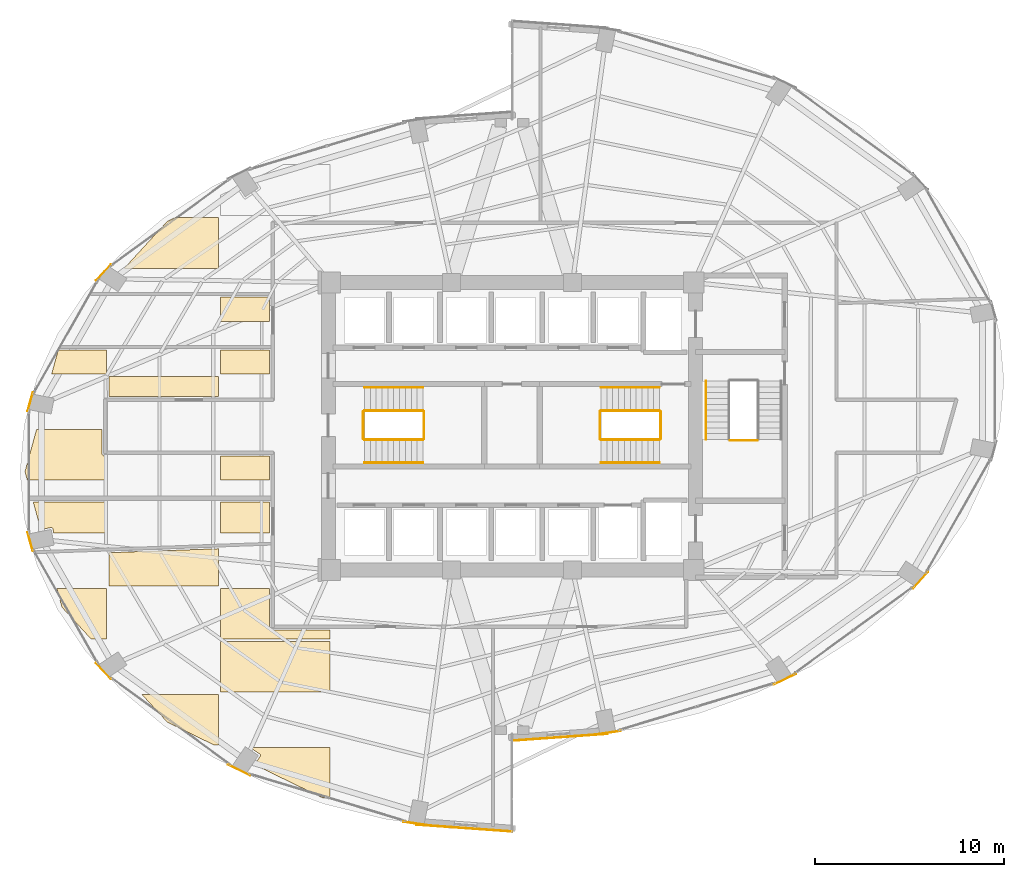
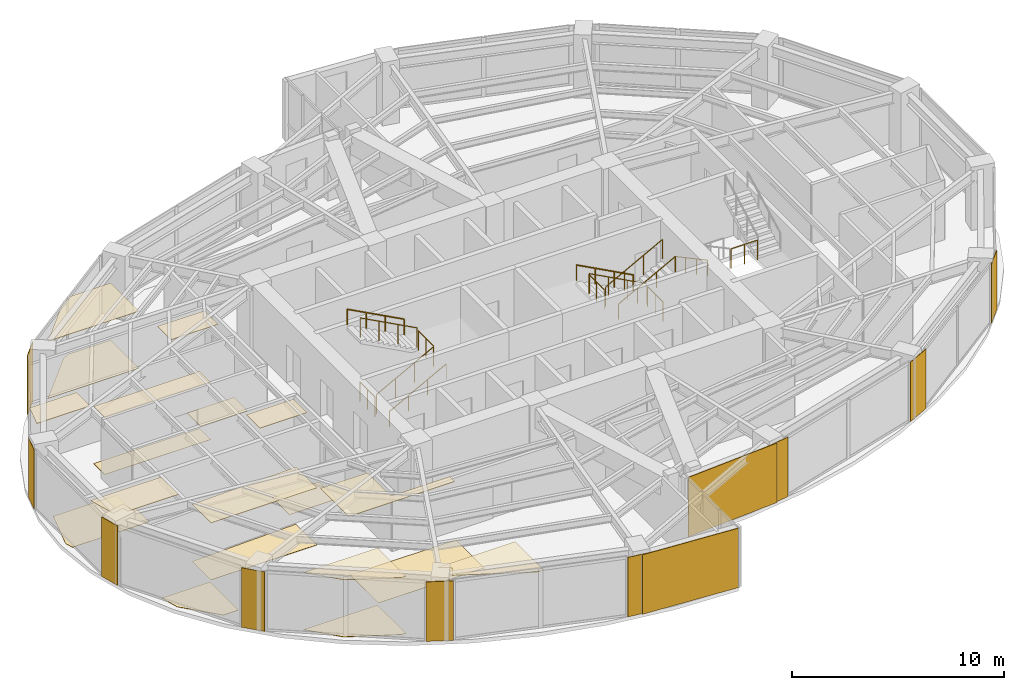
# One storey, part 23 of 24: 30 coverings, 14 railings.
"""IFC4 building model written with IfcOpenShell, lengths in metres."""

from ifc_helpers import new_model, si_unit, direction, frame, origin, origin_2d, place, context, subcontext, project, spatial, polyline, rectangle, circle, outline, extrude, material, layer, layer_set, type_object, element, save


model = new_model("IFC4")

# Units and contexts
model_context = context("Model", 3, precision=1e-05, world=origin(), true_north=direction((0.0, 1.0)))
body_context = subcontext(model_context, "Body", "Model", "MODEL_VIEW")
ifc_project = project(units=[si_unit("LENGTHUNIT", "METRE"), si_unit("AREAUNIT", "SQUARE_METRE"), si_unit("VOLUMEUNIT", "CUBIC_METRE"), si_unit("PLANEANGLEUNIT", "RADIAN"), si_unit("MASSUNIT", "GRAM", prefix="KILO")], contexts=[model_context])

# Site, building, storey
site_placement = place(None, origin())
site = spatial("IfcSite", under=ifc_project, at=site_placement, CompositionType="ELEMENT")
building_placement = place(site_placement, origin())
building = spatial("IfcBuilding", under=site, at=building_placement, Name="Lazwardi Medical Tower", CompositionType="ELEMENT")
storey_placement = place(building_placement, frame((0.0, 0.0, 96.3359375)))
storey = spatial("IfcBuildingStorey", under=building, at=storey_placement, Name="L24", CompositionType="ELEMENT", Elevation=96.3359375)

# Coverings
ifc_material_1 = material(Name="Anodised bronze aluminium cassette cladding", Category="aluminium")
ifc_layer_1 = layer(ifc_material_1, 0.030029296875)
ifc_layer_set_1 = layer_set([ifc_layer_1], Name="Anodised bronze aluminium cassette cladding")
covering_type_1 = type_object("IfcCoveringType", Name="COV-CLD-BRZ", PredefinedType="CLADDING", material=ifc_layer_set_1)
covering_1_placement = place(storey_placement, frame((41.064208984375, 11.80322265625, 0.0), z_axis=(0.0, 0.0, 1.0), x_axis=(0.989609019093, 0.143784523955, 0.0)))
element("IfcCovering", 1, at=covering_1_placement, inside=storey, type_object=covering_type_1, Name="L24 Mega-column bronze cassette cover M01", PredefinedType="CLADDING", context=body_context, shape_type="SweptSolid", body=[
    extrude(rectangle(XDim=1.392333984375, YDim=0.030029296875, at=origin_2d()), origin(), (0.0, 0.0, 1.0), 3.427978515625),
])
covering_2_placement = place(storey_placement, frame((50.421875, 14.634521484375, 0.0), z_axis=(0.0, 0.0, 1.0), x_axis=(0.898679250201, 0.438606435495, 0.0)))
element("IfcCovering", 2, at=covering_2_placement, inside=storey, type_object=covering_type_1, Name="L24 Mega-column bronze cassette cover M02", PredefinedType="CLADDING", context=body_context, shape_type="SweptSolid", body=[
    extrude(rectangle(XDim=1.2998046875, YDim=0.030029296875, at=origin_2d()), origin(), (0.0, 0.0, 1.0), 3.427978515625),
])
for number, where, z_axis, x_axis, name in (
    (3, (57.583740234375, 19.86572265625, 0.0), (0.0, 0.0, 1.0), (0.674925949214, 0.737885467453, 0.0), "L24 Mega-column bronze cassette cover M03"),
    (4, (14.416259765625, 36.13427734375, 0.0), (0.0, 0.0, 1.0), (-0.674925949214, -0.737885467453, 0.0), "L24 Mega-column bronze cassette cover M11"),
):
    element("IfcCovering", number, at=place(storey_placement, frame(where, z_axis=z_axis, x_axis=x_axis)), inside=storey, type_object=covering_type_1, Name=name, PredefinedType="CLADDING", context=body_context, shape_type="SweptSolid", body=[
        extrude(rectangle(XDim=1.15625, YDim=0.030029296875, at=origin_2d()), origin(), (0.0, 0.0, 1.0), 3.427978515625),
    ])
for number, where, z_axis, x_axis, name in (
    (5, (10.540283203125, 29.299072265625, 0.0), (0.0, 0.0, 1.0), (-0.262696108164, -0.964878621774, 0.0), "L24 Mega-column bronze cassette cover M12"),
    (6, (10.540283203125, 21.90087890625, 0.0), (0.0, 0.0, 1.0), (0.262696108164, -0.964878621774, 0.0), "L24 Mega-column bronze cassette cover M13"),
):
    element("IfcCovering", number, at=place(storey_placement, frame(where, z_axis=z_axis, x_axis=x_axis)), inside=storey, type_object=covering_type_1, Name=name, PredefinedType="CLADDING", context=body_context, shape_type="SweptSolid", body=[
        extrude(rectangle(XDim=1.04296875, YDim=0.030029296875, at=origin_2d()), origin(), (0.0, 0.0, 1.0), 3.427978515625),
    ])
covering_3_placement = place(storey_placement, frame((14.416259765625, 15.06591796875, 0.0), z_axis=(0.0, 0.0, 1.0), x_axis=(0.674925949214, -0.737885467453, 0.0)))
element("IfcCovering", 7, at=covering_3_placement, inside=storey, type_object=covering_type_1, Name="L24 Mega-column bronze cassette cover M14", PredefinedType="CLADDING", context=body_context, shape_type="SweptSolid", body=[
    extrude(rectangle(XDim=1.15625, YDim=0.030029296875, at=origin_2d()), origin(), (0.0, 0.0, 1.0), 3.427978515625),
])
covering_4_placement = place(storey_placement, frame((21.578125, 9.83447265625, 0.0), z_axis=(0.0, 0.0, 1.0), x_axis=(0.898679250201, -0.438606435495, 0.0)))
element("IfcCovering", 8, at=covering_4_placement, inside=storey, type_object=covering_type_1, Name="L24 Mega-column bronze cassette cover M15", PredefinedType="CLADDING", context=body_context, shape_type="SweptSolid", body=[
    extrude(rectangle(XDim=1.2998046875, YDim=0.030029296875, at=origin_2d()), origin(), (0.0, 0.0, 1.0), 3.427978515625),
])
covering_5_placement = place(storey_placement, frame((30.935791015625, 7.00341796875, 0.0), z_axis=(0.0, 0.0, 1.0), x_axis=(0.989609019093, -0.143784523955, 0.0)))
element("IfcCovering", 9, at=covering_5_placement, inside=storey, type_object=covering_type_1, Name="L24 Mega-column bronze cassette cover M16", PredefinedType="CLADDING", context=body_context, shape_type="SweptSolid", body=[
    extrude(rectangle(XDim=1.392333984375, YDim=0.030029296875, at=origin_2d()), origin(), (0.0, 0.0, 1.0), 3.427978515625),
])
ifc_material_2 = material(Name="Turquoise glazed ceramic tilework cladding", Category="masonry")
ifc_layer_2 = layer(ifc_material_2, 0.034912109375)
ifc_layer_set_2 = layer_set([ifc_layer_2], Name="Turquoise glazed ceramic tilework cladding")
covering_type_2 = type_object("IfcCoveringType", Name="COV-CLD-TRQ", PredefinedType="CLADDING", material=ifc_layer_set_2)
covering_6_placement = place(storey_placement, frame((38.533203125, 11.56591796875, 0.0), z_axis=(0.0, 0.0, 1.0), x_axis=(0.997431665415, 0.07162452672, 0.0)))
element("IfcCovering", 10, at=covering_6_placement, inside=storey, type_object=covering_type_2, Name="L24 Turquoise glazed ceramic tilework cladding", PredefinedType="CLADDING", context=body_context, shape_type="SweptSolid", body=[
    extrude(rectangle(XDim=5.05419921875, YDim=0.034912109375, at=origin_2d()), origin(), (0.0, 0.0, 1.0), 3.427978515625),
])
covering_7_placement = place(storey_placement, frame((33.466552734375, 6.76611328125, 0.0), z_axis=(0.0, 0.0, 1.0), x_axis=(0.997431165357, -0.071631490105, 0.0)))
element("IfcCovering", 11, at=covering_7_placement, inside=storey, type_object=covering_type_2, Name="L24 Turquoise glazed ceramic tilework cladding", PredefinedType="CLADDING", context=body_context, shape_type="SweptSolid", body=[
    extrude(rectangle(XDim=5.0537109375, YDim=0.034912109375, at=origin_2d()), origin(), (0.0, 0.0, 1.0), 3.427978515625),
])
ifc_material_3 = material(Name="Acoustic mineral fibre tile")
ifc_layer_3 = layer(ifc_material_3, 0.02490234375)
ifc_layer_set_3 = layer_set([ifc_layer_3], Name="Acoustic mineral fibre tile")
covering_type_3 = type_object("IfcCoveringType", Name="COV-CLG-01", PredefinedType="CEILING", material=ifc_layer_set_3)
covering_8_placement = place(storey_placement, frame((0.0, 0.0, 3.282958984375)))
element("IfcCovering", 12, at=covering_8_placement, inside=storey, type_object=covering_type_3, Name="L24 Clinical Acoustic Ceiling 1", PredefinedType="CEILING", context=body_context, shape_type="SweptSolid", body=[
    extrude(outline(polyline([(14.5830078125, 24.0), (10.69970703125, 24.0), (11.097412109375, 22.54248046875), (11.643798828125, 22.651123046875), (11.651611328125, 22.652099609375), (11.6591796875, 22.652587890625), (11.6669921875, 22.652099609375), (11.6748046875, 22.651123046875), (11.6826171875, 22.649169921875), (11.68994140625, 22.646484375), (11.697021484375, 22.643310546875), (11.70361328125, 22.63916015625), (11.710205078125, 22.634521484375), (11.7158203125, 22.629150390625), (11.72119140625, 22.623291015625), (11.725830078125, 22.616943359375), (11.72998046875, 22.6103515625), (11.733154296875, 22.603271484375), (11.73583984375, 22.595703125), (11.73779296875, 22.588134765625), (11.78466796875, 22.352294921875), (14.5830078125, 22.352294921875), (14.5830078125, 24.0)])), origin(), (0.0, 0.0, 1.0), 0.025146484375),
])
covering_9_placement = place(storey_placement, frame((0.0, 0.0, 3.282958984375)))
element("IfcCovering", 13, at=covering_9_placement, inside=storey, type_object=covering_type_3, Name="L24 Clinical Acoustic Ceiling 2", PredefinedType="CEILING", context=body_context, shape_type="SweptSolid", body=[
    extrude(outline(polyline([(14.5830078125, 32.034912109375), (12.01904296875, 32.034912109375), (11.6689453125, 30.75244140625), (14.5830078125, 30.75244140625), (14.5830078125, 32.034912109375)])), origin(), (0.0, 0.0, 1.0), 0.025146484375),
])
covering_10_placement = place(storey_placement, frame((0.0, 0.0, 3.282958984375)))
element("IfcCovering", 14, at=covering_10_placement, inside=storey, type_object=covering_type_3, Name="L24 Clinical Acoustic Ceiling 3", PredefinedType="CEILING", context=body_context, shape_type="SweptSolid", body=[
    extrude(outline(polyline([(16.439208984375, 13.83251953125), (17.791259765625, 12.357666015625), (20.265625, 11.15234375), (20.48291015625, 11.15234375), (20.48291015625, 13.83251953125), (16.439208984375, 13.83251953125)])), origin(), (0.0, 0.0, 1.0), 0.025146484375),
])
covering_11_placement = place(storey_placement, frame((0.0, 0.0, 3.282958984375)))
element("IfcCovering", 15, at=covering_11_placement, inside=storey, type_object=covering_type_3, Name="L24 Clinical Acoustic Ceiling 4", PredefinedType="CEILING", context=body_context, shape_type="SweptSolid", body=[
    extrude(outline(polyline([(20.48291015625, 21.531982421875), (14.702880859375, 21.322998046875), (14.702880859375, 19.552490234375), (20.48291015625, 19.552490234375), (20.48291015625, 21.531982421875)])), origin(), (0.0, 0.0, 1.0), 0.025146484375),
])
covering_12_placement = place(storey_placement, frame((0.0, 0.0, 3.282958984375)))
element("IfcCovering", 16, at=covering_12_placement, inside=storey, type_object=covering_type_3, Name="L24 Clinical Acoustic Ceiling 5", PredefinedType="CEILING", context=body_context, shape_type="SweptSolid", body=[
    extrude(outline(polyline([(14.702880859375, 29.574951171875), (20.48291015625, 29.574951171875), (20.48291015625, 30.63232421875), (14.702880859375, 30.63232421875), (14.702880859375, 29.574951171875)])), origin(), (0.0, 0.0, 1.0), 0.025146484375),
])
covering_13_placement = place(storey_placement, frame((0.0, 0.0, 3.282958984375)))
element("IfcCovering", 17, at=covering_13_placement, inside=storey, type_object=covering_type_3, Name="L24 Clinical Acoustic Ceiling 6", PredefinedType="CEILING", context=body_context, shape_type="SweptSolid", body=[
    extrude(outline(polyline([(18.181396484375, 39.032470703125), (17.791259765625, 38.84228515625), (15.508544921875, 36.352294921875), (20.48291015625, 36.352294921875), (20.48291015625, 39.032470703125), (18.181396484375, 39.032470703125)])), origin(), (0.0, 0.0, 1.0), 0.025146484375),
])
covering_14_placement = place(storey_placement, frame((0.0, 0.0, 3.282958984375)))
element("IfcCovering", 18, at=covering_14_placement, inside=storey, type_object=covering_type_3, Name="L24 Clinical Acoustic Ceiling 7", PredefinedType="CEILING", context=body_context, shape_type="SweptSolid", body=[
    extrude(outline(polyline([(22.143798828125, 11.032470703125), (22.6708984375, 10.68017578125), (22.677490234375, 10.67529296875), (22.68310546875, 10.670166015625), (22.6884765625, 10.664306640625), (22.693115234375, 10.657958984375), (22.697265625, 10.6513671875), (22.700439453125, 10.644287109375), (22.703125, 10.63671875), (22.705078125, 10.629150390625), (22.706298828125, 10.621337890625), (22.70654296875, 10.613525390625), (22.706298828125, 10.605712890625), (22.705078125, 10.597900390625), (22.703125, 10.59033203125), (22.700439453125, 10.5830078125), (22.697265625, 10.575927734375), (22.693115234375, 10.569091796875), (22.39111328125, 10.1171875), (26.0146484375, 8.352294921875), (26.3828125, 8.352294921875), (26.3828125, 11.032470703125), (22.143798828125, 11.032470703125)])), origin(), (0.0, 0.0, 1.0), 0.025146484375),
])
covering_15_placement = place(storey_placement, frame((0.0, 0.0, 3.282958984375)))
element("IfcCovering", 19, at=covering_15_placement, inside=storey, type_object=covering_type_3, Name="L24 Clinical Acoustic Ceiling 8", PredefinedType="CEILING", context=body_context, shape_type="SweptSolid", body=[
    extrude(outline(polyline([(26.3828125, 17.22509765625), (23.35009765625, 17.22509765625), (23.345703125, 17.22509765625), (23.33642578125, 17.2255859375), (23.32958984375, 17.226318359375), (23.3203125, 17.2275390625), (23.31201171875, 17.229248046875), (23.302734375, 17.2314453125), (23.2958984375, 17.233642578125), (23.287109375, 17.23681640625), (23.279296875, 17.239990234375), (23.270751953125, 17.243896484375), (23.263916015625, 17.24755859375), (23.256103515625, 17.25244140625), (23.249267578125, 17.2568359375), (23.24169921875, 17.262451171875), (23.236083984375, 17.26708984375), (23.229248046875, 17.273193359375), (23.223388671875, 17.279296875), (23.217041015625, 17.2861328125), (23.21240234375, 17.291748046875), (23.206787109375, 17.29931640625), (23.202392578125, 17.305908203125), (23.197509765625, 17.31396484375), (23.194091796875, 17.32080078125), (23.18994140625, 17.3291015625), (23.186767578125, 17.3369140625), (23.18359375, 17.345703125), (23.181396484375, 17.352783203125), (23.17919921875, 17.36181640625), (23.177490234375, 17.370361328125), (23.17626953125, 17.37939453125), (23.175537109375, 17.386474609375), (23.175048828125, 17.395751953125), (23.175048828125, 17.39990234375), (23.175048828125, 19.432373046875), (20.602783203125, 19.432373046875), (20.602783203125, 16.75244140625), (26.3828125, 16.75244140625), (26.3828125, 17.22509765625)])), origin(), (0.0, 0.0, 1.0), 0.025146484375),
])
covering_16_placement = place(storey_placement, frame((0.0, 0.0, 3.282958984375)))
element("IfcCovering", 20, at=covering_16_placement, inside=storey, type_object=covering_type_3, Name="L24 Clinical Acoustic Ceiling 9", PredefinedType="CEILING", context=body_context, shape_type="SweptSolid", body=[
    extrude(outline(polyline([(23.175048828125, 25.15234375), (23.175048828125, 26.425048828125), (20.602783203125, 26.425048828125), (20.602783203125, 25.15234375), (23.175048828125, 25.15234375)])), origin(), (0.0, 0.0, 1.0), 0.025146484375),
])
covering_17_placement = place(storey_placement, frame((0.0, 0.0, 3.282958984375)))
element("IfcCovering", 21, at=covering_17_placement, inside=storey, type_object=covering_type_3, Name="L24 Clinical Acoustic Ceiling 10", PredefinedType="CEILING", context=body_context, shape_type="SweptSolid", body=[
    extrude(outline(polyline([(23.175048828125, 33.552490234375), (23.175048828125, 34.8349609375), (20.602783203125, 34.8349609375), (20.602783203125, 33.552490234375), (23.175048828125, 33.552490234375)])), origin(), (0.0, 0.0, 1.0), 0.025146484375),
])
ifc_material_4 = material(Name="Anti-static hospital vinyl sheet flooring")
ifc_layer_4 = layer(ifc_material_4, 0.014892578125)
ifc_layer_set_4 = layer_set([ifc_layer_4], Name="Anti-static hospital vinyl sheet flooring")
covering_type_4 = type_object("IfcCoveringType", Name="COV-FLR-01", PredefinedType="FLOORING", material=ifc_layer_set_4)
covering_18_placement = place(storey_placement, origin())
element("IfcCovering", 22, at=covering_18_placement, inside=storey, type_object=covering_type_4, Name="L24 Clinical Vinyl Flooring 1", PredefinedType="FLOORING", context=body_context, shape_type="SweptSolid", body=[
    extrude(outline(polyline([(11.946044921875, 19.432373046875), (12.217529296875, 18.437744140625), (13.76220703125, 16.75244140625), (14.5830078125, 16.75244140625), (14.5830078125, 19.432373046875), (11.946044921875, 19.432373046875)])), origin(), (0.0, 0.0, 1.0), 0.01513671875),
])
covering_19_placement = place(storey_placement, origin())
element("IfcCovering", 23, at=covering_19_placement, inside=storey, type_object=covering_type_4, Name="L24 Clinical Vinyl Flooring 2", PredefinedType="FLOORING", context=body_context, shape_type="SweptSolid", body=[
    extrude(outline(polyline([(14.5830078125, 26.425048828125), (14.5, 26.425048828125), (14.49560546875, 26.425048828125), (14.486328125, 26.425537109375), (14.4794921875, 26.42626953125), (14.47021484375, 26.427490234375), (14.4619140625, 26.42919921875), (14.452880859375, 26.431396484375), (14.44580078125, 26.43359375), (14.43701171875, 26.436767578125), (14.42919921875, 26.43994140625), (14.4208984375, 26.444091796875), (14.4140625, 26.447509765625), (14.406005859375, 26.452392578125), (14.3994140625, 26.456787109375), (14.391845703125, 26.46240234375), (14.38623046875, 26.467041015625), (14.37939453125, 26.473388671875), (14.373291015625, 26.479248046875), (14.3671875, 26.486083984375), (14.362548828125, 26.49169921875), (14.35693359375, 26.499267578125), (14.352294921875, 26.506103515625), (14.34765625, 26.513916015625), (14.343994140625, 26.520751953125), (14.340087890625, 26.529296875), (14.336669921875, 26.537109375), (14.33349609375, 26.5458984375), (14.33154296875, 26.552734375), (14.3291015625, 26.56201171875), (14.32763671875, 26.5703125), (14.326416015625, 26.57958984375), (14.32568359375, 26.58642578125), (14.3251953125, 26.595703125), (14.324951171875, 26.60009765625), (14.324951171875, 27.83251953125), (10.872314453125, 27.83251953125), (10.262939453125, 25.60009765625), (10.385009765625, 25.15234375), (14.5830078125, 25.15234375), (14.5830078125, 26.425048828125)])), origin(), (0.0, 0.0, 1.0), 0.01513671875),
])
covering_20_placement = place(storey_placement, origin())
element("IfcCovering", 24, at=covering_20_placement, inside=storey, type_object=covering_type_4, Name="L24 Clinical Vinyl Flooring 3", PredefinedType="FLOORING", context=body_context, shape_type="SweptSolid", body=[
    extrude(outline(polyline([(16.439208984375, 13.83251953125), (17.791259765625, 12.357666015625), (20.265625, 11.15234375), (20.48291015625, 11.15234375), (20.48291015625, 13.83251953125), (16.439208984375, 13.83251953125)])), origin(), (0.0, 0.0, 1.0), 0.01513671875),
])
covering_21_placement = place(storey_placement, origin())
element("IfcCovering", 25, at=covering_21_placement, inside=storey, type_object=covering_type_4, Name="L24 Clinical Vinyl Flooring 4", PredefinedType="FLOORING", context=body_context, shape_type="SweptSolid", body=[
    extrude(outline(polyline([(20.48291015625, 21.531982421875), (14.702880859375, 21.322998046875), (14.702880859375, 19.552490234375), (20.48291015625, 19.552490234375), (20.48291015625, 21.531982421875)])), origin(), (0.0, 0.0, 1.0), 0.01513671875),
])
covering_22_placement = place(storey_placement, origin())
element("IfcCovering", 26, at=covering_22_placement, inside=storey, type_object=covering_type_4, Name="L24 Clinical Vinyl Flooring 5", PredefinedType="FLOORING", context=body_context, shape_type="SweptSolid", body=[
    extrude(outline(polyline([(14.702880859375, 29.574951171875), (20.48291015625, 29.574951171875), (20.48291015625, 30.63232421875), (14.702880859375, 30.63232421875), (14.702880859375, 29.574951171875)])), origin(), (0.0, 0.0, 1.0), 0.01513671875),
])
covering_23_placement = place(storey_placement, origin())
element("IfcCovering", 27, at=covering_23_placement, inside=storey, type_object=covering_type_4, Name="L24 Clinical Vinyl Flooring 6", PredefinedType="FLOORING", context=body_context, shape_type="SweptSolid", body=[
    extrude(outline(polyline([(18.181396484375, 39.032470703125), (17.791259765625, 38.84228515625), (15.508544921875, 36.352294921875), (20.48291015625, 36.352294921875), (20.48291015625, 39.032470703125), (18.181396484375, 39.032470703125)])), origin(), (0.0, 0.0, 1.0), 0.01513671875),
])
covering_24_placement = place(storey_placement, origin())
element("IfcCovering", 28, at=covering_24_placement, inside=storey, type_object=covering_type_4, Name="L24 Clinical Vinyl Flooring 7", PredefinedType="FLOORING", context=body_context, shape_type="SweptSolid", body=[
    extrude(outline(polyline([(26.3828125, 13.952392578125), (26.3828125, 16.63232421875), (20.602783203125, 16.63232421875), (20.602783203125, 13.952392578125), (26.3828125, 13.952392578125)])), origin(), (0.0, 0.0, 1.0), 0.01513671875),
])
covering_25_placement = place(storey_placement, origin())
element("IfcCovering", 29, at=covering_25_placement, inside=storey, type_object=covering_type_4, Name="L24 Clinical Vinyl Flooring 8", PredefinedType="FLOORING", context=body_context, shape_type="SweptSolid", body=[
    extrude(outline(polyline([(23.175048828125, 22.352294921875), (23.175048828125, 24.0), (20.602783203125, 24.0), (20.602783203125, 22.352294921875), (23.175048828125, 22.352294921875)])), origin(), (0.0, 0.0, 1.0), 0.01513671875),
])
covering_26_placement = place(storey_placement, origin())
element("IfcCovering", 30, at=covering_26_placement, inside=storey, type_object=covering_type_4, Name="L24 Clinical Vinyl Flooring 9", PredefinedType="FLOORING", context=body_context, shape_type="SweptSolid", body=[
    extrude(outline(polyline([(23.175048828125, 30.75244140625), (23.175048828125, 32.034912109375), (20.602783203125, 32.034912109375), (20.602783203125, 30.75244140625), (23.175048828125, 30.75244140625)])), origin(), (0.0, 0.0, 1.0), 0.01513671875),
])

# Railings
ifc_material_5 = material(Name="Stainless steel Grade 316", Category="steel")
railing_type_1 = type_object("IfcRailingType", Name="RLG-GRD-1150", PredefinedType="GUARDRAIL", material=ifc_material_5)
railing_1_placement = place(storey_placement, frame((28.199951171875, 27.2900390625, 0.165771484375)))
element("IfcRailing", 31, at=railing_1_placement, inside=storey, type_object=railing_type_1, Name="L24 ST1 stair guard 1", PredefinedType="GUARDRAIL", context=body_context, shape_type="SweptSolid", body=[
    extrude(circle(Radius=0.02392578125, at=origin_2d()), frame((0.0, 0.0, 1.1259765625), z_axis=(0.881783298633, 0.0, 0.471654761719), x_axis=(0.0, 1.0, 0.0)), (0.0, 0.0, 1.0), 3.515625),
    extrude(circle(Radius=0.02099609375, at=origin_2d()), origin(), (0.0, 0.0, 1.0), 1.099853515625),
    extrude(circle(Radius=0.02099609375, at=origin_2d()), frame((1.033447265625, 0.0, 0.552734375)), (0.0, 0.0, 1.0), 1.099853515625),
    extrude(circle(Radius=0.02099609375, at=origin_2d()), frame((2.066650390625, 0.0, 1.10546875)), (0.0, 0.0, 1.0), 1.099853515625),
    extrude(circle(Radius=0.02099609375, at=origin_2d()), frame((3.10009765625, 0.0, 1.658203125)), (0.0, 0.0, 1.0), 1.099853515625),
])
railing_2_placement = place(storey_placement, frame((31.35009765625, 27.340087890625, 1.823974609375)))
element("IfcRailing", 32, at=railing_2_placement, inside=storey, type_object=railing_type_1, Name="L24 ST1 stair guard 2", PredefinedType="GUARDRAIL", context=body_context, shape_type="SweptSolid", body=[
    extrude(circle(Radius=0.02392578125, at=origin_2d()), frame((0.0, 0.0, 1.1259765625), z_axis=(0.0, 1.0, 0.0), x_axis=(-1.0, 0.0, 0.0)), (0.0, 0.0, 1.0), 1.43994140625),
    extrude(circle(Radius=0.02099609375, at=origin_2d()), origin(), (0.0, 0.0, 1.0), 1.099853515625),
    extrude(circle(Radius=0.02099609375, at=origin_2d()), frame((0.0, 0.719970703125, 0.0)), (0.0, 0.0, 1.0), 1.099853515625),
    extrude(circle(Radius=0.02099609375, at=origin_2d()), frame((0.0, 1.43994140625, 0.0)), (0.0, 0.0, 1.0), 1.099853515625),
])
railing_3_placement = place(storey_placement, frame((31.300048828125, 28.830078125, 1.989990234375)))
element("IfcRailing", 33, at=railing_3_placement, inside=storey, type_object=railing_type_1, Name="L24 ST1 stair guard 3", PredefinedType="GUARDRAIL", context=body_context, shape_type="SweptSolid", body=[
    extrude(circle(Radius=0.02392578125, at=origin_2d()), frame((0.0, 0.0, 1.1259765625), z_axis=(-0.881812178953, 0.0, 0.471600764472), x_axis=(0.0, -1.0, 0.0)), (0.0, 0.0, 1.0), 3.515625),
    extrude(circle(Radius=0.02099609375, at=origin_2d()), origin(), (0.0, 0.0, 1.0), 1.099853515625),
    extrude(circle(Radius=0.02099609375, at=origin_2d()), frame((-1.033447265625, 0.0, 0.552734375)), (0.0, 0.0, 1.0), 1.099853515625),
    extrude(circle(Radius=0.02099609375, at=origin_2d()), frame((-2.066650390625, 0.0, 1.105224609375)), (0.0, 0.0, 1.0), 1.099853515625),
    extrude(circle(Radius=0.02099609375, at=origin_2d()), frame((-3.10009765625, 0.0, 1.657958984375)), (0.0, 0.0, 1.0), 1.099853515625),
])
railing_4_placement = place(storey_placement, frame((28.14990234375, 27.340087890625, 0.0)))
element("IfcRailing", 34, at=railing_4_placement, inside=storey, type_object=railing_type_1, Name="L24 ST1 stair guard 4", PredefinedType="GUARDRAIL", context=body_context, shape_type="SweptSolid", body=[
    extrude(circle(Radius=0.02392578125, at=origin_2d()), frame((0.0, 0.0, 1.1259765625), z_axis=(0.0, 1.0, 0.0), x_axis=(-1.0, 0.0, 0.0)), (0.0, 0.0, 1.0), 1.43994140625),
    extrude(circle(Radius=0.02099609375, at=origin_2d()), origin(), (0.0, 0.0, 1.0), 1.099853515625),
    extrude(circle(Radius=0.02099609375, at=origin_2d()), frame((0.0, 0.719970703125, 0.0)), (0.0, 0.0, 1.0), 1.099853515625),
    extrude(circle(Radius=0.02099609375, at=origin_2d()), frame((0.0, 1.43994140625, 0.0)), (0.0, 0.0, 1.0), 1.099853515625),
])
railing_5_placement = place(storey_placement, frame((43.800048828125, 28.830078125, 0.165771484375)))
element("IfcRailing", 35, at=railing_5_placement, inside=storey, type_object=railing_type_1, Name="L24 ST2 stair guard 1", PredefinedType="GUARDRAIL", context=body_context, shape_type="SweptSolid", body=[
    extrude(circle(Radius=0.02392578125, at=origin_2d()), frame((0.0, 0.0, 1.1259765625), z_axis=(-0.881783298633, 0.0, 0.471654761719), x_axis=(0.0, -1.0, 0.0)), (0.0, 0.0, 1.0), 3.515625),
    extrude(circle(Radius=0.02099609375, at=origin_2d()), origin(), (0.0, 0.0, 1.0), 1.099853515625),
    extrude(circle(Radius=0.02099609375, at=origin_2d()), frame((-1.033447265625, 0.0, 0.552734375)), (0.0, 0.0, 1.0), 1.099853515625),
    extrude(circle(Radius=0.02099609375, at=origin_2d()), frame((-2.066650390625, 0.0, 1.10546875)), (0.0, 0.0, 1.0), 1.099853515625),
    extrude(circle(Radius=0.02099609375, at=origin_2d()), frame((-3.10009765625, 0.0, 1.658203125)), (0.0, 0.0, 1.0), 1.099853515625),
])
railing_6_placement = place(storey_placement, frame((40.64990234375, 28.780029296875, 1.823974609375)))
element("IfcRailing", 36, at=railing_6_placement, inside=storey, type_object=railing_type_1, Name="L24 ST2 stair guard 2", PredefinedType="GUARDRAIL", context=body_context, shape_type="SweptSolid", body=[
    extrude(circle(Radius=0.02392578125, at=origin_2d()), frame((0.0, 0.0, 1.1259765625), z_axis=(0.0, -1.0, 0.0), x_axis=(1.0, 0.0, 0.0)), (0.0, 0.0, 1.0), 1.43994140625),
    extrude(circle(Radius=0.02099609375, at=origin_2d()), origin(), (0.0, 0.0, 1.0), 1.099853515625),
    extrude(circle(Radius=0.02099609375, at=origin_2d()), frame((0.0, -0.719970703125, 0.0)), (0.0, 0.0, 1.0), 1.099853515625),
    extrude(circle(Radius=0.02099609375, at=origin_2d()), frame((0.0, -1.43994140625, 0.0)), (0.0, 0.0, 1.0), 1.099853515625),
])
railing_7_placement = place(storey_placement, frame((40.699951171875, 27.2900390625, 1.989990234375)))
element("IfcRailing", 37, at=railing_7_placement, inside=storey, type_object=railing_type_1, Name="L24 ST2 stair guard 3", PredefinedType="GUARDRAIL", context=body_context, shape_type="SweptSolid", body=[
    extrude(circle(Radius=0.02392578125, at=origin_2d()), frame((0.0, 0.0, 1.1259765625), z_axis=(0.881812178953, 0.0, 0.471600764472), x_axis=(0.0, 1.0, 0.0)), (0.0, 0.0, 1.0), 3.515625),
    extrude(circle(Radius=0.02099609375, at=origin_2d()), origin(), (0.0, 0.0, 1.0), 1.099853515625),
    extrude(circle(Radius=0.02099609375, at=origin_2d()), frame((1.033447265625, 0.0, 0.552734375)), (0.0, 0.0, 1.0), 1.099853515625),
    extrude(circle(Radius=0.02099609375, at=origin_2d()), frame((2.066650390625, 0.0, 1.105224609375)), (0.0, 0.0, 1.0), 1.099853515625),
    extrude(circle(Radius=0.02099609375, at=origin_2d()), frame((3.10009765625, 0.0, 1.657958984375)), (0.0, 0.0, 1.0), 1.099853515625),
])
railing_8_placement = place(storey_placement, frame((43.85009765625, 28.780029296875, 0.0)))
element("IfcRailing", 38, at=railing_8_placement, inside=storey, type_object=railing_type_1, Name="L24 ST2 stair guard 4", PredefinedType="GUARDRAIL", context=body_context, shape_type="SweptSolid", body=[
    extrude(circle(Radius=0.02392578125, at=origin_2d()), frame((0.0, 0.0, 1.1259765625), z_axis=(0.0, -1.0, 0.0), x_axis=(1.0, 0.0, 0.0)), (0.0, 0.0, 1.0), 1.43994140625),
    extrude(circle(Radius=0.02099609375, at=origin_2d()), origin(), (0.0, 0.0, 1.0), 1.099853515625),
    extrude(circle(Radius=0.02099609375, at=origin_2d()), frame((0.0, -0.719970703125, 0.0)), (0.0, 0.0, 1.0), 1.099853515625),
    extrude(circle(Radius=0.02099609375, at=origin_2d()), frame((0.0, -1.43994140625, 0.0)), (0.0, 0.0, 1.0), 1.099853515625),
])
railing_9_placement = place(storey_placement, frame((47.52001953125, 27.25, 1.823974609375)))
element("IfcRailing", 39, at=railing_9_placement, inside=storey, type_object=railing_type_1, Name="L24 ST3 stair guard 2", PredefinedType="GUARDRAIL", context=body_context, shape_type="SweptSolid", body=[
    extrude(circle(Radius=0.02392578125, at=origin_2d()), frame((0.0, 0.0, 1.1259765625), z_axis=(1.0, 0.0, 0.0), x_axis=(0.0, 1.0, 0.0)), (0.0, 0.0, 1.0), 1.43994140625),
    extrude(circle(Radius=0.02099609375, at=origin_2d()), origin(), (0.0, 0.0, 1.0), 1.099853515625),
    extrude(circle(Radius=0.02099609375, at=origin_2d()), frame((0.719970703125, 0.0, 0.0)), (0.0, 0.0, 1.0), 1.099853515625),
    extrude(circle(Radius=0.02099609375, at=origin_2d()), frame((1.43994140625, 0.0, 0.0)), (0.0, 0.0, 1.0), 1.099853515625),
])
railing_type_2 = type_object("IfcRailingType", Name="RLG-HND-920", PredefinedType="HANDRAIL", material=ifc_material_5)
railing_10_placement = place(storey_placement, frame((28.199951171875, 26.070068359375, 0.165771484375)))
element("IfcRailing", 40, at=railing_10_placement, inside=storey, type_object=railing_type_2, Name="L24 ST1 stair handrail 1", PredefinedType="HANDRAIL", context=body_context, shape_type="SweptSolid", body=[
    extrude(circle(Radius=0.02392578125, at=origin_2d()), frame((0.0, 0.0, 0.8857421875), z_axis=(0.881783298633, 0.0, 0.471654761719), x_axis=(0.0, 1.0, 0.0)), (0.0, 0.0, 1.0), 3.515625),
    extrude(circle(Radius=0.02099609375, at=origin_2d()), origin(), (0.0, 0.0, 1.0), 0.85986328125),
    extrude(circle(Radius=0.02099609375, at=origin_2d()), frame((1.033447265625, 0.0, 0.552734375)), (0.0, 0.0, 1.0), 0.85986328125),
    extrude(circle(Radius=0.02099609375, at=origin_2d()), frame((2.066650390625, 0.0, 1.10546875)), (0.0, 0.0, 1.0), 0.85986328125),
    extrude(circle(Radius=0.02099609375, at=origin_2d()), frame((3.10009765625, 0.0, 1.658203125)), (0.0, 0.0, 1.0), 0.85986328125),
])
railing_11_placement = place(storey_placement, frame((31.300048828125, 30.050048828125, 1.989990234375)))
element("IfcRailing", 41, at=railing_11_placement, inside=storey, type_object=railing_type_2, Name="L24 ST1 stair handrail 2", PredefinedType="HANDRAIL", context=body_context, shape_type="SweptSolid", body=[
    extrude(circle(Radius=0.02392578125, at=origin_2d()), frame((0.0, 0.0, 0.8857421875), z_axis=(-0.881812178953, 0.0, 0.471600764472), x_axis=(0.0, -1.0, 0.0)), (0.0, 0.0, 1.0), 3.515625),
    extrude(circle(Radius=0.02099609375, at=origin_2d()), origin(), (0.0, 0.0, 1.0), 0.85986328125),
    extrude(circle(Radius=0.02099609375, at=origin_2d()), frame((-1.033447265625, 0.0, 0.552734375)), (0.0, 0.0, 1.0), 0.85986328125),
    extrude(circle(Radius=0.02099609375, at=origin_2d()), frame((-2.066650390625, 0.0, 1.105224609375)), (0.0, 0.0, 1.0), 0.85986328125),
    extrude(circle(Radius=0.02099609375, at=origin_2d()), frame((-3.10009765625, 0.0, 1.657958984375)), (0.0, 0.0, 1.0), 0.85986328125),
])
railing_12_placement = place(storey_placement, frame((43.800048828125, 30.050048828125, 0.165771484375)))
element("IfcRailing", 42, at=railing_12_placement, inside=storey, type_object=railing_type_2, Name="L24 ST2 stair handrail 1", PredefinedType="HANDRAIL", context=body_context, shape_type="SweptSolid", body=[
    extrude(circle(Radius=0.02392578125, at=origin_2d()), frame((0.0, 0.0, 0.8857421875), z_axis=(-0.881783298633, 0.0, 0.471654761719), x_axis=(0.0, -1.0, 0.0)), (0.0, 0.0, 1.0), 3.515625),
    extrude(circle(Radius=0.02099609375, at=origin_2d()), origin(), (0.0, 0.0, 1.0), 0.85986328125),
    extrude(circle(Radius=0.02099609375, at=origin_2d()), frame((-1.033447265625, 0.0, 0.552734375)), (0.0, 0.0, 1.0), 0.85986328125),
    extrude(circle(Radius=0.02099609375, at=origin_2d()), frame((-2.066650390625, 0.0, 1.10546875)), (0.0, 0.0, 1.0), 0.85986328125),
    extrude(circle(Radius=0.02099609375, at=origin_2d()), frame((-3.10009765625, 0.0, 1.658203125)), (0.0, 0.0, 1.0), 0.85986328125),
])
railing_13_placement = place(storey_placement, frame((40.699951171875, 26.070068359375, 1.989990234375)))
element("IfcRailing", 43, at=railing_13_placement, inside=storey, type_object=railing_type_2, Name="L24 ST2 stair handrail 2", PredefinedType="HANDRAIL", context=body_context, shape_type="SweptSolid", body=[
    extrude(circle(Radius=0.02392578125, at=origin_2d()), frame((0.0, 0.0, 0.8857421875), z_axis=(0.881812178953, 0.0, 0.471600764472), x_axis=(0.0, 1.0, 0.0)), (0.0, 0.0, 1.0), 3.515625),
    extrude(circle(Radius=0.02099609375, at=origin_2d()), origin(), (0.0, 0.0, 1.0), 0.85986328125),
    extrude(circle(Radius=0.02099609375, at=origin_2d()), frame((1.033447265625, 0.0, 0.552734375)), (0.0, 0.0, 1.0), 0.85986328125),
    extrude(circle(Radius=0.02099609375, at=origin_2d()), frame((2.066650390625, 0.0, 1.105224609375)), (0.0, 0.0, 1.0), 0.85986328125),
    extrude(circle(Radius=0.02099609375, at=origin_2d()), frame((3.10009765625, 0.0, 1.657958984375)), (0.0, 0.0, 1.0), 0.85986328125),
])
railing_14_placement = place(storey_placement, frame((46.25, 30.39990234375, 0.165771484375)))
element("IfcRailing", 44, at=railing_14_placement, inside=storey, type_object=railing_type_2, Name="L24 ST3 stair handrail 1", PredefinedType="HANDRAIL", context=body_context, shape_type="SweptSolid", body=[
    extrude(circle(Radius=0.02392578125, at=origin_2d()), frame((0.0, 0.0, 0.8857421875), z_axis=(0.0, -0.881767849116, 0.471683644262), x_axis=(1.0, 0.0, 0.0)), (0.0, 0.0, 1.0), 3.515380859375),
    extrude(circle(Radius=0.02099609375, at=origin_2d()), origin(), (0.0, 0.0, 1.0), 0.85986328125),
    extrude(circle(Radius=0.02099609375, at=origin_2d()), frame((0.0, -1.033203125, 0.552734375)), (0.0, 0.0, 1.0), 0.85986328125),
    extrude(circle(Radius=0.02099609375, at=origin_2d()), frame((0.0, -2.066650390625, 1.10546875)), (0.0, 0.0, 1.0), 0.85986328125),
    extrude(circle(Radius=0.02099609375, at=origin_2d()), frame((0.0, -3.099853515625, 1.658203125)), (0.0, 0.0, 1.0), 0.85986328125),
])

save(model, "model.ifc")
